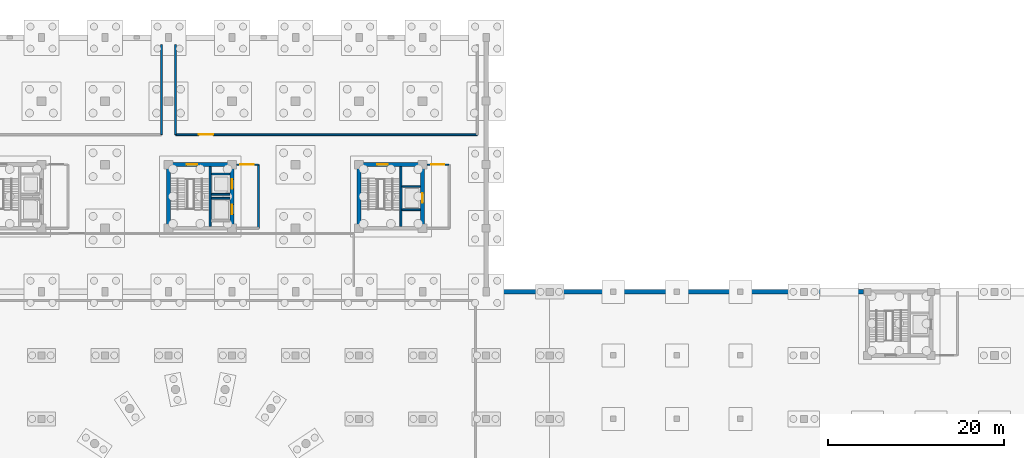
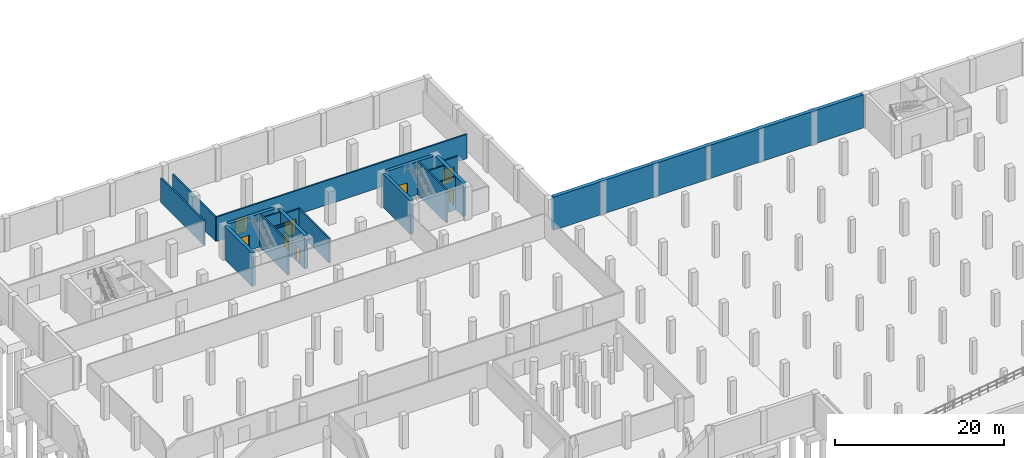
# One storey, part 12 of 19: 20 walls, 8 doors, 8 openings.
"""IFC4 building model written with IfcOpenShell, lengths in metres."""

from ifc_helpers import new_model, si_unit, direction, frame, frame_2d, origin, place, context, subcontext, project, spatial, rectangle, extrude, material, layer, layer_set, type_object, element, fill, save


model = new_model("IFC4")

# Units and contexts
model_context = context("Model", 3, precision=1e-05, world=origin(), true_north=direction((0.0, 1.0)))
body_context = subcontext(model_context, "Body", "Model", "MODEL_VIEW")
ifc_project = project(units=[si_unit("LENGTHUNIT", "METRE"), si_unit("AREAUNIT", "SQUARE_METRE"), si_unit("VOLUMEUNIT", "CUBIC_METRE"), si_unit("PLANEANGLEUNIT", "RADIAN"), si_unit("MASSUNIT", "GRAM", prefix="KILO")], contexts=[model_context])

# Site, building, storey
site_placement = place(None, origin())
site = spatial("IfcSite", under=ifc_project, at=site_placement, CompositionType="ELEMENT")
building_placement = place(site_placement, origin())
building = spatial("IfcBuilding", under=site, at=building_placement, Name="Qiaolan Assembly House", CompositionType="ELEMENT")
storey_placement = place(building_placement, frame((0.0, 0.0, -4.800048828125)))
storey = spatial("IfcBuildingStorey", under=building, at=storey_placement, Name="B1", CompositionType="ELEMENT", Elevation=-4.800048828125)

# Wall
ifc_material_1 = material(Name="Concrete C45/55", Category="concrete")
ifc_layer_1 = layer(ifc_material_1, 0.5)
ifc_layer_set_1 = layer_set([ifc_layer_1], Name="Concrete C45/55")
wall_type_1 = type_object("IfcWallType", Name="WAL-BSMT-500", PredefinedType="STANDARD", material=ifc_layer_set_1)
wall_1_placement = place(storey_placement, frame((101.25, 86.39990234375, 0.0), z_axis=(0.0, 0.0, 1.0), x_axis=(1.0, 0.0, 0.0)))
element("IfcWall", 1, at=wall_1_placement, inside=storey, type_object=wall_type_1, Name="BW-500 basement retaining wall LIB-NW", PredefinedType="STANDARD", context=body_context, shape_type="SweptSolid", body=[
    extrude(rectangle(XDim=42.300048828125, YDim=0.5, at=frame_2d((21.14990234375, 0.0))), origin(), (0.0, 0.0, 1.0), 4.800048828125),
])

# Wall, openings, doors
ifc_material_2 = material(Name="Concrete C50/60", Category="concrete")
ifc_layer_2 = layer(ifc_material_2, 0.449951171875)
ifc_layer_set_2 = layer_set([ifc_layer_2], Name="Concrete C50/60")
wall_type_2 = type_object("IfcWallType", Name="WAL-CORE-450", PredefinedType="SHEAR", material=ifc_layer_set_2)
wall_2_placement = place(storey_placement, frame((72.0, 93.949951171875, 0.0), z_axis=(0.0, 0.0, 1.0), x_axis=(0.0, 1.0, 0.0)))
wall_2 = element("IfcWall", 2, at=wall_2_placement, inside=storey, type_object=wall_type_2, Name="CW-450 shear core wall CORE-B E B1", PredefinedType="SHEAR", context=body_context, shape_type="SweptSolid", body=[
    extrude(rectangle(XDim=6.5, YDim=0.449951171875, at=frame_2d((3.25, 0.0))), origin(), (0.0, 0.0, 1.0), 4.800048828125),
])
opening_1_placement = place(wall_2_placement, frame((1.22509765625, 0.0, 0.0)))
opening_1 = element("IfcOpeningElement", 3, at=opening_1_placement, cuts=wall_2, Name="Opening LD-019", PredefinedType="OPENING", context=body_context, shape_type="SweptSolid", body=[
    extrude(rectangle(XDim=1.10009765625, YDim=2.199951171875, at=frame_2d((0.550048828125, 1.10009765625))), frame((0.0, 0.23486328125, 0.0), z_axis=(0.0, -1.0, 0.0), x_axis=(1.0, 0.0, 0.0)), (0.0, 0.0, 1.0), 0.469970703125),
])
opening_2_placement = place(wall_2_placement, frame((4.10009765625, 0.0, 0.0)))
opening_2 = element("IfcOpeningElement", 4, at=opening_2_placement, cuts=wall_2, Name="Opening LD-028", PredefinedType="OPENING", context=body_context, shape_type="SweptSolid", body=[
    extrude(rectangle(XDim=1.10009765625, YDim=2.199951171875, at=frame_2d((0.550048828125, 1.10009765625))), frame((0.0, 0.23486328125, 0.0), z_axis=(0.0, -1.0, 0.0), x_axis=(1.0, 0.0, 0.0)), (0.0, 0.0, 1.0), 0.469970703125),
])
ifc_material_3 = material(Name="Anodised bronze aluminium", Category="aluminium")
door_type_1 = type_object("IfcDoorType", Name="DOR-LIFT-LD1100", OperationType="SLIDING_TO_LEFT", PredefinedType="DOOR", material=ifc_material_3)
door_1_placement = place(opening_1_placement, origin())
door_1 = element("IfcDoor", 5, at=door_1_placement, inside=storey, type_object=door_type_1, Name="Lift landing door LD-019 (LF-03 B1)", OperationType="SLIDING_TO_LEFT", OverallHeight=2.199951171875, OverallWidth=1.10009765625, PredefinedType="DOOR", context=body_context, shape_type="SweptSolid", body=[
    extrude(rectangle(XDim=1.10009765625, YDim=2.199951171875, at=frame_2d((0.550048828125, 1.10009765625))), frame((0.0, 0.02490234375, 0.0), z_axis=(0.0, -1.0, 0.0), x_axis=(1.0, 0.0, 0.0)), (0.0, 0.0, 1.0), 0.050048828125),
])
fill(opening_1, door_1)
door_2_placement = place(opening_2_placement, origin())
door_2 = element("IfcDoor", 6, at=door_2_placement, inside=storey, type_object=door_type_1, Name="Lift landing door LD-028 (LF-04 B1)", OperationType="SLIDING_TO_LEFT", OverallHeight=2.199951171875, OverallWidth=1.10009765625, PredefinedType="DOOR", context=body_context, shape_type="SweptSolid", body=[
    extrude(rectangle(XDim=1.10009765625, YDim=2.199951171875, at=frame_2d((0.550048828125, 1.10009765625))), frame((0.0, 0.02490234375, 0.0), z_axis=(0.0, -1.0, 0.0), x_axis=(1.0, 0.0, 0.0)), (0.0, 0.0, 1.0), 0.050048828125),
])
fill(opening_2, door_2)

# Wall, opening, door
wall_3_placement = place(storey_placement, frame((71.64990234375, 100.800048828125, 0.0), z_axis=(0.0, 0.0, 1.0), x_axis=(-1.0, 0.0, 0.0)))
wall_3 = element("IfcWall", 7, at=wall_3_placement, inside=storey, type_object=wall_type_2, Name="CW-450 shear core wall CORE-B N B1", PredefinedType="SHEAR", context=body_context, shape_type="SweptSolid", body=[
    extrude(rectangle(XDim=6.5, YDim=0.449951171875, at=frame_2d((3.25, 0.0))), origin(), (0.0, 0.0, 1.0), 4.800048828125),
])
opening_3_placement = place(wall_3_placement, frame((3.60009765625, 0.0, 0.0)))
opening_3 = element("IfcOpeningElement", 8, at=opening_3_placement, cuts=wall_3, Name="Opening FD-035", PredefinedType="OPENING", context=body_context, shape_type="SweptSolid", body=[
    extrude(rectangle(XDim=1.199951171875, YDim=2.199951171875, at=frame_2d((0.60009765625, 1.10009765625))), frame((0.0, 0.23486328125, 0.0), z_axis=(0.0, -1.0, 0.0), x_axis=(1.0, 0.0, 0.0)), (0.0, 0.0, 1.0), 0.469970703125),
])
ifc_material_4 = material(Name="Steel Q355B", Category="steel")
door_type_2 = type_object("IfcDoorType", Name="DOR-FIRE-FD90-1200", OperationType="NOTDEFINED", PredefinedType="DOOR", material=ifc_material_4)
door_3_placement = place(opening_3_placement, frame((1.199951171875, 0.0, 0.0), z_axis=(0.0, 0.0, 1.0), x_axis=(-1.0, 0.0, 0.0)))
door_3 = element("IfcDoor", 9, at=door_3_placement, inside=storey, type_object=door_type_2, Name="Stairwell fire door FD-035 (CORE-B B1)", OperationType="SINGLE_SWING_LEFT", OverallHeight=2.199951171875, OverallWidth=1.199951171875, PredefinedType="DOOR", context=body_context, shape_type="SweptSolid", body=[
    extrude(rectangle(XDim=1.199951171875, YDim=2.199951171875, at=frame_2d((0.60009765625, 1.10009765625))), frame((0.0, 0.02490234375, 0.0), z_axis=(0.0, -1.0, 0.0), x_axis=(1.0, 0.0, 0.0)), (0.0, 0.0, 1.0), 0.050048828125),
])
fill(opening_3, door_3)

# Wall
wall_4_placement = place(storey_placement, frame((64.800048828125, 100.449951171875, 0.0), z_axis=(0.0, 0.0, 1.0), x_axis=(0.0, -1.0, 0.0)))
element("IfcWall", 10, at=wall_4_placement, inside=storey, type_object=wall_type_2, Name="CW-450 shear core wall CORE-B W B1", PredefinedType="SHEAR", context=body_context, shape_type="SweptSolid", body=[
    extrude(rectangle(XDim=6.5, YDim=0.449951171875, at=frame_2d((3.25, 0.0))), origin(), (0.0, 0.0, 1.0), 4.800048828125),
])

# Wall, opening, door
wall_5_placement = place(storey_placement, frame((93.60009765625, 93.949951171875, 0.0), z_axis=(0.0, 0.0, 1.0), x_axis=(0.0, 1.0, 0.0)))
wall_5 = element("IfcWall", 11, at=wall_5_placement, inside=storey, type_object=wall_type_2, Name="CW-450 shear core wall CORE-G E B1", PredefinedType="SHEAR", context=body_context, shape_type="SweptSolid", body=[
    extrude(rectangle(XDim=6.5, YDim=0.449951171875, at=frame_2d((3.25, 0.0))), origin(), (0.0, 0.0, 1.0), 4.800048828125),
])
opening_4_placement = place(wall_5_placement, frame((2.52490234375, 0.0, 0.0)))
opening_4 = element("IfcOpeningElement", 12, at=opening_4_placement, cuts=wall_5, Name="Opening LD-037", PredefinedType="OPENING", context=body_context, shape_type="SweptSolid", body=[
    extrude(rectangle(XDim=1.10009765625, YDim=2.199951171875, at=frame_2d((0.550048828125, 1.10009765625))), frame((0.0, 0.23486328125, 0.0), z_axis=(0.0, -1.0, 0.0), x_axis=(1.0, 0.0, 0.0)), (0.0, 0.0, 1.0), 0.469970703125),
])
door_4_placement = place(opening_4_placement, origin())
door_4 = element("IfcDoor", 13, at=door_4_placement, inside=storey, type_object=door_type_1, Name="Lift landing door LD-037 (LF-05 B1)", OperationType="SLIDING_TO_LEFT", OverallHeight=2.199951171875, OverallWidth=1.10009765625, PredefinedType="DOOR", context=body_context, shape_type="SweptSolid", body=[
    extrude(rectangle(XDim=1.10009765625, YDim=2.199951171875, at=frame_2d((0.550048828125, 1.10009765625))), frame((0.0, 0.02490234375, 0.0), z_axis=(0.0, -1.0, 0.0), x_axis=(1.0, 0.0, 0.0)), (0.0, 0.0, 1.0), 0.050048828125),
])
fill(opening_4, door_4)

wall_6_placement = place(storey_placement, frame((93.25, 100.800048828125, 0.0), z_axis=(0.0, 0.0, 1.0), x_axis=(-1.0, 0.0, 0.0)))
wall_6 = element("IfcWall", 14, at=wall_6_placement, inside=storey, type_object=wall_type_2, Name="CW-450 shear core wall CORE-G N B1", PredefinedType="SHEAR", context=body_context, shape_type="SweptSolid", body=[
    extrude(rectangle(XDim=6.5, YDim=0.449951171875, at=frame_2d((3.25, 0.0))), origin(), (0.0, 0.0, 1.0), 4.800048828125),
])
opening_5_placement = place(wall_6_placement, frame((3.60009765625, 0.0, 0.0)))
opening_5 = element("IfcOpeningElement", 15, at=opening_5_placement, cuts=wall_6, Name="Opening FD-053", PredefinedType="OPENING", context=body_context, shape_type="SweptSolid", body=[
    extrude(rectangle(XDim=1.199951171875, YDim=2.199951171875, at=frame_2d((0.60009765625, 1.10009765625))), frame((0.0, 0.23486328125, 0.0), z_axis=(0.0, -1.0, 0.0), x_axis=(1.0, 0.0, 0.0)), (0.0, 0.0, 1.0), 0.469970703125),
])
door_5_placement = place(opening_5_placement, frame((1.199951171875, 0.0, 0.0), z_axis=(0.0, 0.0, 1.0), x_axis=(-1.0, 0.0, 0.0)))
door_5 = element("IfcDoor", 16, at=door_5_placement, inside=storey, type_object=door_type_2, Name="Stairwell fire door FD-053 (CORE-G B1)", OperationType="SINGLE_SWING_RIGHT", OverallHeight=2.199951171875, OverallWidth=1.199951171875, PredefinedType="DOOR", context=body_context, shape_type="SweptSolid", body=[
    extrude(rectangle(XDim=1.199951171875, YDim=2.199951171875, at=frame_2d((0.60009765625, 1.10009765625))), frame((0.0, 0.02490234375, 0.0), z_axis=(0.0, -1.0, 0.0), x_axis=(1.0, 0.0, 0.0)), (0.0, 0.0, 1.0), 0.050048828125),
])
fill(opening_5, door_5)

# Walls
wall_7_placement = place(storey_placement, frame((86.39990234375, 100.449951171875, 0.0), z_axis=(0.0, 0.0, 1.0), x_axis=(0.0, -1.0, 0.0)))
element("IfcWall", 17, at=wall_7_placement, inside=storey, type_object=wall_type_2, Name="CW-450 shear core wall CORE-G W B1", PredefinedType="SHEAR", context=body_context, shape_type="SweptSolid", body=[
    extrude(rectangle(XDim=6.5, YDim=0.449951171875, at=frame_2d((3.25, 0.0))), origin(), (0.0, 0.0, 1.0), 4.800048828125),
])
ifc_material_5 = material(Name="Concrete C35/45", Category="concrete")
ifc_layer_3 = layer(ifc_material_5, 0.199951171875)
ifc_layer_set_3 = layer_set([ifc_layer_3], Name="Concrete C35/45")
wall_type_3 = type_object("IfcWallType", Name="WAL-LOBBY-200", PredefinedType="PARTITIONING", material=ifc_layer_set_3)
wall_8_placement = place(storey_placement, frame((75.0, 93.60009765625, 0.0), z_axis=(0.0, 0.0, 1.0), x_axis=(0.0, 1.0, 0.0)))
element("IfcWall", 18, at=wall_8_placement, inside=storey, type_object=wall_type_3, Name="Firefighting lift lobby east wall CORE-B B1", PredefinedType="PARTITIONING", context=body_context, shape_type="SweptSolid", body=[
    extrude(rectangle(XDim=7.199951171875, YDim=0.199951171875, at=frame_2d((3.60009765625, 0.0))), origin(), (0.0, 0.0, 1.0), 3.52001953125),
])

# Wall, opening, door
wall_9_placement = place(storey_placement, frame((75.0, 100.800048828125, 0.0), z_axis=(0.0, 0.0, 1.0), x_axis=(-1.0, 0.0, 0.0)))
wall_9 = element("IfcWall", 19, at=wall_9_placement, inside=storey, type_object=wall_type_3, Name="Firefighting lift lobby north wall CORE-B B1", PredefinedType="PARTITIONING", context=body_context, shape_type="SweptSolid", body=[
    extrude(rectangle(XDim=2.52001953125, YDim=0.199951171875, at=frame_2d((1.260009765625, 0.0))), origin(), (0.0, 0.0, 1.0), 3.52001953125),
])
opening_6_placement = place(wall_9_placement, frame((0.550048828125, 0.0, 0.0)))
opening_6 = element("IfcOpeningElement", 20, at=opening_6_placement, cuts=wall_9, Name="Opening FD-036", PredefinedType="OPENING", context=body_context, shape_type="SweptSolid", body=[
    extrude(rectangle(XDim=1.5, YDim=2.199951171875, at=frame_2d((0.75, 1.10009765625))), frame((0.0, 0.10986328125, 0.0), z_axis=(0.0, -1.0, 0.0), x_axis=(1.0, 0.0, 0.0)), (0.0, 0.0, 1.0), 0.219970703125),
])
ifc_material_6 = material(Name="Acoustic oak panelling")
door_type_3 = type_object("IfcDoorType", Name="DOR-LOBBY-FD60-1500", OperationType="DOUBLE_DOOR_SINGLE_SWING", PredefinedType="DOOR", material=ifc_material_6)
door_6_placement = place(opening_6_placement, frame((1.5, 0.0, 0.0), z_axis=(0.0, 0.0, 1.0), x_axis=(-1.0, 0.0, 0.0)))
door_6 = element("IfcDoor", 21, at=door_6_placement, inside=storey, type_object=door_type_3, Name="Lobby corridor fire door FD-036", OperationType="DOUBLE_DOOR_SINGLE_SWING", OverallHeight=2.199951171875, OverallWidth=1.5, PredefinedType="DOOR", context=body_context, shape_type="SweptSolid", body=[
    extrude(rectangle(XDim=1.5, YDim=2.199951171875, at=frame_2d((0.75, 1.10009765625))), frame((0.0, 0.02490234375, 0.0), z_axis=(0.0, -1.0, 0.0), x_axis=(1.0, 0.0, 0.0)), (0.0, 0.0, 1.0), 0.050048828125),
])
fill(opening_6, door_6)

wall_10_placement = place(storey_placement, frame((96.60009765625, 100.800048828125, 0.0), z_axis=(0.0, 0.0, 1.0), x_axis=(-1.0, 0.0, 0.0)))
wall_10 = element("IfcWall", 22, at=wall_10_placement, inside=storey, type_object=wall_type_3, Name="Firefighting lift lobby north wall CORE-G B1", PredefinedType="PARTITIONING", context=body_context, shape_type="SweptSolid", body=[
    extrude(rectangle(XDim=2.52001953125, YDim=0.199951171875, at=frame_2d((1.260009765625, 0.0))), origin(), (0.0, 0.0, 1.0), 3.52001953125),
])
opening_7_placement = place(wall_10_placement, frame((0.550048828125, 0.0, 0.0)))
opening_7 = element("IfcOpeningElement", 23, at=opening_7_placement, cuts=wall_10, Name="Opening FD-054", PredefinedType="OPENING", context=body_context, shape_type="SweptSolid", body=[
    extrude(rectangle(XDim=1.5, YDim=2.199951171875, at=frame_2d((0.75, 1.10009765625))), frame((0.0, 0.10986328125, 0.0), z_axis=(0.0, -1.0, 0.0), x_axis=(1.0, 0.0, 0.0)), (0.0, 0.0, 1.0), 0.219970703125),
])
door_7_placement = place(opening_7_placement, frame((1.5, 0.0, 0.0), z_axis=(0.0, 0.0, 1.0), x_axis=(-1.0, 0.0, 0.0)))
door_7 = element("IfcDoor", 24, at=door_7_placement, inside=storey, type_object=door_type_3, Name="Lobby corridor fire door FD-054", OperationType="DOUBLE_DOOR_SINGLE_SWING", OverallHeight=2.199951171875, OverallWidth=1.5, PredefinedType="DOOR", context=body_context, shape_type="SweptSolid", body=[
    extrude(rectangle(XDim=1.5, YDim=2.199951171875, at=frame_2d((0.75, 1.10009765625))), frame((0.0, 0.02490234375, 0.0), z_axis=(0.0, -1.0, 0.0), x_axis=(1.0, 0.0, 0.0)), (0.0, 0.0, 1.0), 0.050048828125),
])
fill(opening_7, door_7)

# Wall
wall_11_placement = place(storey_placement, frame((64.0, 104.199951171875, 0.0), z_axis=(0.0, 0.0, 1.0), x_axis=(0.0, 1.0, 0.0)))
element("IfcWall", 25, at=wall_11_placement, inside=storey, type_object=wall_type_3, Name="Municipal Deed & Civic Record Vault east wall", PredefinedType="PARTITIONING", context=body_context, shape_type="SweptSolid", body=[
    extrude(rectangle(XDim=10.199951171875, YDim=0.199951171875, at=frame_2d((5.10009765625, 0.0))), origin(), (0.0, 0.0, 1.0), 3.52001953125),
])

# Wall, opening, door
wall_12_placement = place(storey_placement, frame((65.60009765625, 104.199951171875, 0.0), z_axis=(0.0, 0.0, 1.0), x_axis=(1.0, 0.0, 0.0)))
wall_12 = element("IfcWall", 26, at=wall_12_placement, inside=storey, type_object=wall_type_3, Name="Compactus Deep Archive & Conservation Store corridor wall", PredefinedType="PARTITIONING", context=body_context, shape_type="SweptSolid", body=[
    extrude(rectangle(XDim=34.199951171875, YDim=0.199951171875, at=frame_2d((17.10009765625, 0.0))), origin(), (0.0, 0.0, 1.0), 3.52001953125),
])
opening_8_placement = place(wall_12_placement, frame((2.60009765625, 0.0, 0.0)))
opening_8 = element("IfcOpeningElement", 27, at=opening_8_placement, cuts=wall_12, Name="Opening PD-141", PredefinedType="OPENING", context=body_context, shape_type="SweptSolid", body=[
    extrude(rectangle(XDim=1.64990234375, YDim=2.25, at=frame_2d((0.824951171875, 1.125))), frame((0.0, 0.10986328125, 0.0), z_axis=(0.0, -1.0, 0.0), x_axis=(1.0, 0.0, 0.0)), (0.0, 0.0, 1.0), 0.219970703125),
])
door_type_4 = type_object("IfcDoorType", Name="DOR-PLANT-STL-1600", OperationType="DOUBLE_DOOR_SINGLE_SWING", PredefinedType="DOOR", material=ifc_material_4)
door_8_placement = place(opening_8_placement, origin())
door_8 = element("IfcDoor", 28, at=door_8_placement, inside=storey, type_object=door_type_4, Name="Plant/vault fire door PD-141", OperationType="DOUBLE_DOOR_SINGLE_SWING", OverallHeight=2.25, OverallWidth=1.64990234375, PredefinedType="DOOR", context=body_context, shape_type="SweptSolid", body=[
    extrude(rectangle(XDim=1.64990234375, YDim=2.25, at=frame_2d((0.824951171875, 1.125))), frame((0.0, 0.02490234375, 0.0), z_axis=(0.0, -1.0, 0.0), x_axis=(1.0, 0.0, 0.0)), (0.0, 0.0, 1.0), 0.050048828125),
])
fill(opening_8, door_8)

# Walls
wall_13_placement = place(storey_placement, frame((65.60009765625, 114.39990234375, 0.0), z_axis=(0.0, 0.0, 1.0), x_axis=(0.0, -1.0, 0.0)))
element("IfcWall", 29, at=wall_13_placement, inside=storey, type_object=wall_type_3, Name="Compactus Deep Archive & Conservation Store west wall", PredefinedType="PARTITIONING", context=body_context, shape_type="SweptSolid", body=[
    extrude(rectangle(XDim=10.199951171875, YDim=0.199951171875, at=frame_2d((5.10009765625, 0.0))), origin(), (0.0, 0.0, 1.0), 3.52001953125),
])
ifc_layer_4 = layer(ifc_material_5, 0.18505859375)
ifc_layer_set_4 = layer_set([ifc_layer_4], Name="Concrete C35/45")
wall_type_4 = type_object("IfcWallType", Name="WAL-SHAFT-200", PredefinedType="PARTITIONING", material=ifc_layer_set_4)
for number, where, z_axis, x_axis, name in (
    (30, (69.64990234375, 97.0, 0.0), (0.0, 0.0, 1.0), (1.0, 0.0, 0.0), "SW-200 lift shaft wall LF-03 B1 DIVN"),
    (31, (69.64990234375, 97.449951171875, 0.0), (0.0, 0.0, 1.0), (1.0, 0.0, 0.0), "SW-200 lift shaft wall LF-04 B1 DIVS"),
    (32, (69.64990234375, 99.75, 0.0), (0.0, 0.0, 1.0), (1.0, 0.0, 0.0), "SW-200 lift shaft wall LF-04 B1 DIVN"),
    (33, (91.25, 95.699951171875, 0.0), (0.0, 0.0, 1.0), (1.0, 0.0, 0.0), "SW-200 lift shaft wall LF-05 B1 DIVS"),
    (34, (91.25, 98.35009765625, 0.0), (0.0, 0.0, 1.0), (1.0, 0.0, 0.0), "SW-200 lift shaft wall LF-05 B1 DIVN"),
):
    element("IfcWall", number, at=place(storey_placement, frame(where, z_axis=z_axis, x_axis=x_axis)), inside=storey, type_object=wall_type_4, Name=name, PredefinedType="PARTITIONING", context=body_context, shape_type="SweptSolid", body=[
        extrude(rectangle(XDim=2.10009765625, YDim=0.18505859375, at=frame_2d((1.050048828125, 0.0))), origin(), (0.0, 0.0, 1.0), 4.800048828125),
    ])
ifc_material_7 = material(Name="Concrete C40/50", Category="concrete")
ifc_layer_5 = layer(ifc_material_7, 0.22509765625)
ifc_layer_set_5 = layer_set([ifc_layer_5], Name="Concrete C40/50")
wall_type_5 = type_object("IfcWallType", Name="WAL-STAIR-DIV-225", PredefinedType="SHEAR", material=ifc_layer_set_5)
for number, where, z_axis, x_axis, name in (
    (35, (69.52001953125, 93.820068359375, 0.0), (0.0, 0.0, 1.0), (0.0, 1.0, 0.0), "SDW-225 stairwell structural spine wall CORE-B B1"),
    (36, (91.1201171875, 93.820068359375, 0.0), (0.0, 0.0, 1.0), (0.0, 1.0, 0.0), "SDW-225 stairwell structural spine wall CORE-G B1"),
):
    element("IfcWall", number, at=place(storey_placement, frame(where, z_axis=z_axis, x_axis=x_axis)), inside=storey, type_object=wall_type_5, Name=name, PredefinedType="SHEAR", context=body_context, shape_type="SweptSolid", body=[
        extrude(rectangle(XDim=6.760009765625, YDim=0.22509765625, at=frame_2d((3.3798828125, 0.0))), origin(), (0.0, 0.0, 1.0), 4.800048828125),
    ])

save(model, "model.ifc")
